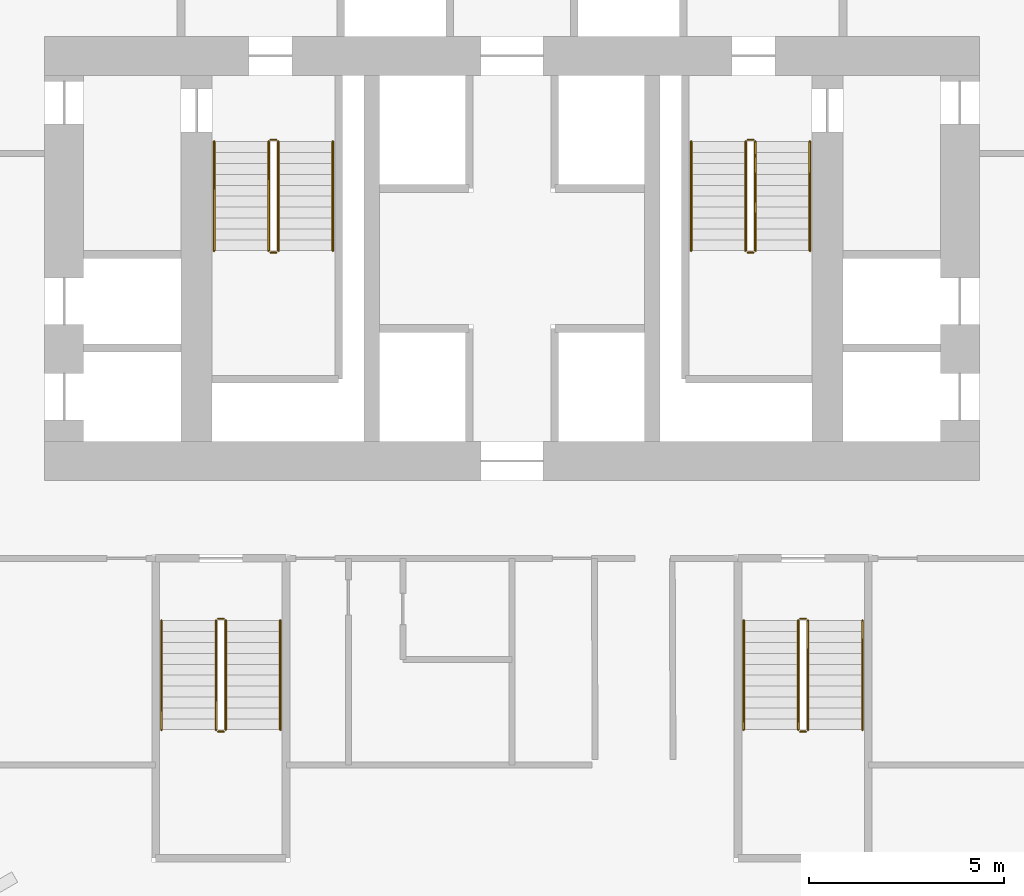
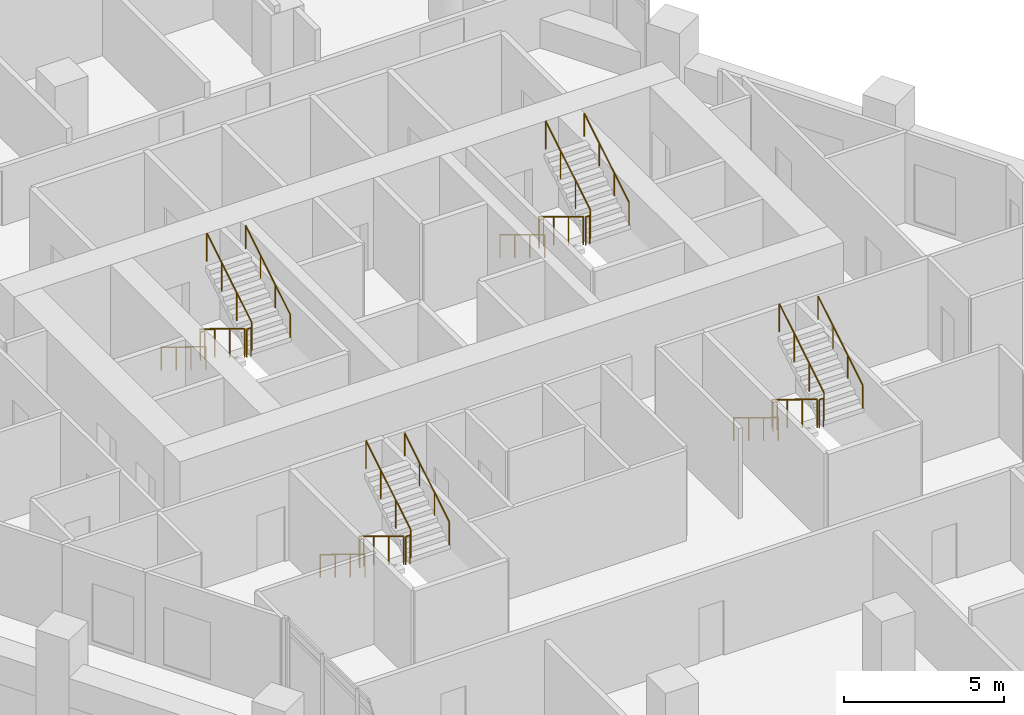
# One storey, part 28 of 28: 24 railings.
"""IFC4 building model written with IfcOpenShell, lengths in metres."""

import ifcopenshell
import ifcopenshell.guid

model = None  # the IFC model being written
_history = None  # IfcOwnerHistory: only IFC2X3 demands one
_inside = {}  # id of a spatial element -> (the spatial element, [elements in it])
_under = {}  # id of a project, library or spatial element -> (it, [spatial elements below it])
_declared = {}  # id of a project -> (the project, [libraries it declares])
_typed = {}  # id of a type object -> (the type object, [elements of that type])
_made_of = {}  # id of a material, layer set ... -> (it, [elements and type objects made of it])


def new_model(schema):
    """Start an empty IFC model of exactly this schema.

    Asked for "IFC4X3", IfcOpenShell would pick the latest addendum, in which some entities
    have other attributes; the version numbers below select the first issue.
    IFC2X3 requires an IfcOwnerHistory on every rooted entity: one is made here for all.
    """
    global model, _history
    if schema == "IFC4X3":
        model = ifcopenshell.file(schema_version=(4, 3, 0, 0))
    else:
        model = ifcopenshell.file(schema=schema)
    _inside.clear()
    _under.clear()
    _declared.clear()
    _typed.clear()
    _made_of.clear()
    _history = None
    if model.schema == "IFC2X3":
        org = make("IfcOrganization", Name="unknown")
        user = make(
            "IfcPersonAndOrganization",
            ThePerson=make("IfcPerson", FamilyName="unknown"),
            TheOrganization=org,
        )
        app = make(
            "IfcApplication",
            ApplicationDeveloper=org,
            Version="unknown",
            ApplicationFullName="unknown",
            ApplicationIdentifier="unknown",
        )
        _history = make(
            "IfcOwnerHistory",
            OwningUser=user,
            OwningApplication=app,
            ChangeAction="ADDED",
            CreationDate=0,
        )
    return model


def make(cls, **values):
    """One entity of the class cls with the attributes given. An attribute that is None is left unset."""
    return model.create_entity(
        cls, **{name: value for name, value in values.items() if value is not None}
    )


def rooted(cls, **values):
    """An entity with a GlobalId (a new one), such as an element, a storey or a relation."""
    return make(cls, GlobalId=ifcopenshell.guid.new(), OwnerHistory=_history, **values)


def si_unit(unit_type, name, prefix=None):
    """IfcSIUnit, for example si_unit("LENGTHUNIT", "METRE", prefix="MILLI")."""
    return make("IfcSIUnit", UnitType=unit_type, Prefix=prefix, Name=name)


def assignment(units):
    """IfcUnitAssignment: the units of a project."""
    return None if units is None else make("IfcUnitAssignment", Units=units)


def point(xyz):
    """IfcCartesianPoint."""
    return None if xyz is None else make("IfcCartesianPoint", Coordinates=xyz)


def direction(xyz):
    """IfcDirection."""
    return None if xyz is None else make("IfcDirection", DirectionRatios=xyz)


def frame(location, z_axis=None, x_axis=None):
    """IfcAxis2Placement3D, a coordinate frame: its origin and axes. An axis left out is left unset."""
    return make(
        "IfcAxis2Placement3D",
        Location=point(location),
        Axis=direction(z_axis),
        RefDirection=direction(x_axis),
    )


def frame_2d(location, x_axis=None):
    """IfcAxis2Placement2D, a coordinate frame in the plane: its origin and x axis."""
    return make(
        "IfcAxis2Placement2D", Location=point(location), RefDirection=direction(x_axis)
    )


def origin():
    """The frame at (0, 0, 0) with its axes left unset."""
    return frame((0.0, 0.0, 0.0))


def origin_2d():
    """The frame at (0, 0) in the plane with its x axis left unset."""
    return frame_2d((0.0, 0.0))


def place(relative_to, where):
    """IfcLocalPlacement: puts the frame where relative to a parent placement (None: the world)."""
    return make(
        "IfcLocalPlacement", PlacementRelTo=relative_to, RelativePlacement=where
    )


def context(
    kind, dimensions, precision=None, world=None, true_north=None, identifier=None
):
    """IfcGeometricRepresentationContext, for example the 3D "Model" context."""
    return make(
        "IfcGeometricRepresentationContext",
        ContextIdentifier=identifier,
        ContextType=kind,
        CoordinateSpaceDimension=dimensions,
        Precision=precision,
        WorldCoordinateSystem=world,
        TrueNorth=true_north,
    )


def subcontext(parent, identifier, kind, view, scale=None):
    """IfcGeometricRepresentationSubContext, for example "Body" below "Model"."""
    return make(
        "IfcGeometricRepresentationSubContext",
        ContextIdentifier=identifier,
        ContextType=kind,
        ParentContext=parent,
        TargetScale=scale,
        TargetView=view,
    )


def project(units=None, contexts=None):
    """IfcProject with its units and contexts."""
    return rooted(
        "IfcProject",
        Name="project",
        RepresentationContexts=contexts,
        UnitsInContext=assignment(units),
    )


def spatial(cls, under=None, at=None, **own):
    """A site, building, storey or space (cls), placed at a placement, below another one or the project."""
    s = rooted(cls, ObjectPlacement=at, **own)
    if under is not None:
        _under.setdefault(under.id(), (under, []))[1].append(s)
    return s


def profile(cls, at=None, kind="AREA", **sizes):
    """A parametric profile (cls). Its sizes go by their IFC names, for example OverallWidth=200.0."""
    return make(cls, ProfileType=kind, Position=at, **sizes)


def circle(**sizes):
    """IfcCircleProfileDef."""
    return profile("IfcCircleProfileDef", **sizes)


def extrude(swept, where, along, depth):
    """IfcExtrudedAreaSolid: the profile swept, set in the frame where, extruded along a direction by depth."""
    return make(
        "IfcExtrudedAreaSolid",
        SweptArea=swept,
        Position=where,
        ExtrudedDirection=direction(along),
        Depth=depth,
    )


def shape(context_of_items, identifier, shape_type, items):
    """IfcShapeRepresentation: the items that make up one representation, for example the "Body"."""
    return make(
        "IfcShapeRepresentation",
        ContextOfItems=context_of_items,
        RepresentationIdentifier=identifier,
        RepresentationType=shape_type,
        Items=items,
    )


def material(Name=None, Category=None):
    """IfcMaterial."""
    return make("IfcMaterial", Name=Name, Category=Category)


def made_of(thing, what):
    """Note that an element or type object is made of a material, layer set ...; save() writes the relation."""
    if what is not None:
        _made_of.setdefault(what.id(), (what, []))[1].append(thing)
    return thing


def type_object(cls, material=None, **own):
    """A type object (cls), such as IfcWallType, which elements share."""
    return made_of(rooted(cls, **own), material)


def element(
    cls,
    number,
    at=None,
    inside=None,
    cuts=None,
    type_object=None,
    material=None,
    context=None,
    identifier="Body",
    shape_type=None,
    held_by="IfcProductDefinitionShape",
    body=None,
    shapes=None,
    **own,
):
    """One element of the class cls, such as IfcWall. Its Tag is "e" and its number.

    at: its placement. inside: the storey or other place that contains it. cuts: it is an
    opening in that element (IfcRelVoidsElement). A single representation is given by context,
    identifier, shape_type and body (its items); several are given by shapes. held_by: the class
    of the entity that holds the representations. save() writes the other relations.
    """
    e = rooted(cls, Tag="e%d" % number, ObjectPlacement=at, **own)
    if body is not None:
        shapes = [shape(context, identifier, shape_type, body)]
    if shapes is not None:
        e.Representation = make(held_by, Representations=shapes)
    if inside is not None:
        _inside.setdefault(inside.id(), (inside, []))[1].append(e)
    if cuts is not None:
        rooted(
            "IfcRelVoidsElement", RelatingBuildingElement=cuts, RelatedOpeningElement=e
        )
    if type_object is not None:
        _typed.setdefault(type_object.id(), (type_object, []))[1].append(e)
    return made_of(e, material)


def aggregate(whole, parts):
    """IfcRelAggregates: a whole, such as a stair, and the parts it consists of."""
    return rooted("IfcRelAggregates", RelatingObject=whole, RelatedObjects=parts)


def save(model, path):
    """Write the relations noted so far, then the file.

    IfcRelAggregates (storeys below a building ...), IfcRelContainedInSpatialStructure (elements
    in a storey), IfcRelDefinesByType, IfcRelAssociatesMaterial and IfcRelDeclares: one each for
    every whole, place, type object, material and project.
    """
    for whole, parts in _under.values():
        aggregate(whole, parts)
    for where, things in _inside.values():
        rooted(
            "IfcRelContainedInSpatialStructure",
            RelatedElements=things,
            RelatingStructure=where,
        )
    for kind, things in _typed.values():
        rooted("IfcRelDefinesByType", RelatedObjects=things, RelatingType=kind)
    for what, things in _made_of.values():
        rooted("IfcRelAssociatesMaterial", RelatedObjects=things, RelatingMaterial=what)
    for by, libraries in _declared.values():
        rooted("IfcRelDeclares", RelatingContext=by, RelatedDefinitions=libraries)
    model.write(path)


model = new_model("IFC4")

# Units and contexts
model_context = context("Model", 3, precision=1e-05, world=origin(), true_north=direction((0.0, 1.0)))
body_context = subcontext(model_context, "Body", "Model", "MODEL_VIEW")
ifc_project = project(units=[si_unit("LENGTHUNIT", "METRE"), si_unit("AREAUNIT", "SQUARE_METRE"), si_unit("VOLUMEUNIT", "CUBIC_METRE"), si_unit("PLANEANGLEUNIT", "RADIAN"), si_unit("MASSUNIT", "GRAM", prefix="KILO")], contexts=[model_context])

# Site, building, storey
site_placement = place(None, origin())
site = spatial("IfcSite", under=ifc_project, at=site_placement, CompositionType="ELEMENT")
building_placement = place(site_placement, origin())
building = spatial("IfcBuilding", under=site, at=building_placement, Name="Ostrander Bayou Hotel Tower", CompositionType="ELEMENT")
storey_placement = place(building_placement, frame((0.0, 0.0, 142.25)))
storey = spatial("IfcBuildingStorey", under=building, at=storey_placement, Name="L35", CompositionType="ELEMENT", Elevation=142.25)

# Railings
ifc_material_1 = material(Name="Steel ASTM A500 Gr C", Category="steel")
railing_type_1 = type_object("IfcRailingType", Name="GR1 stair guard 1100 mm steel", PredefinedType="GUARDRAIL", material=ifc_material_1)
railing_1_placement = place(storey_placement, frame((-6.25, 7.0, 0.17041015625)))
element("IfcRailing", 1, at=railing_1_placement, inside=storey, type_object=railing_type_1, Name="L35 STA stair guard 1", PredefinedType="GUARDRAIL", context=body_context, shape_type="SweptSolid", body=[
    extrude(circle(Radius=0.02392578125, at=origin_2d()), frame((0.0, 0.0, 1.076171875), z_axis=(0.0, -0.854169791009, 0.51999420009), x_axis=(1.0, 0.0, 0.0)), (0.0, 0.0, 1.0), 3.278076171875),
    extrude(circle(Radius=0.02099609375, at=origin_2d()), origin(), (0.0, 0.0, 1.0), 1.052001953125),
    extrude(circle(Radius=0.02099609375, at=origin_2d()), frame((0.0, -0.933349609375, 0.568115234375)), (0.0, 0.0, 1.0), 1.052001953125),
    extrude(circle(Radius=0.02099609375, at=origin_2d()), frame((0.0, -1.86669921875, 1.136474609375)), (0.0, 0.0, 1.0), 1.052001953125),
    extrude(circle(Radius=0.02099609375, at=origin_2d()), frame((0.0, -2.800048828125, 1.70458984375)), (0.0, 0.0, 1.0), 1.052001953125),
])
railing_2_placement = place(storey_placement, frame((-6.199951171875, 4.14990234375, 1.875)))
element("IfcRailing", 2, at=railing_2_placement, inside=storey, type_object=railing_type_1, Name="L35 STA stair guard 2", PredefinedType="GUARDRAIL", context=body_context, shape_type="SweptSolid", body=[
    extrude(circle(Radius=0.02392578125, at=origin_2d()), frame((0.0, 0.0, 1.076171875), z_axis=(1.0, 0.0, 0.0), x_axis=(0.0, 1.0, 0.0)), (0.0, 0.0, 1.0), 0.14990234375),
    extrude(circle(Radius=0.02099609375, at=origin_2d()), origin(), (0.0, 0.0, 1.0), 1.052001953125),
    extrude(circle(Radius=0.02099609375, at=origin_2d()), frame((0.14990234375, 0.0, 0.0)), (0.0, 0.0, 1.0), 1.052001953125),
])
railing_3_placement = place(storey_placement, frame((-6.0, 4.199951171875, 2.04541015625)))
element("IfcRailing", 3, at=railing_3_placement, inside=storey, type_object=railing_type_1, Name="L35 STA stair guard 3", PredefinedType="GUARDRAIL", context=body_context, shape_type="SweptSolid", body=[
    extrude(circle(Radius=0.02392578125, at=origin_2d()), frame((0.0, 0.0, 1.076171875), z_axis=(0.0, 0.854169791009, 0.51999420009), x_axis=(-1.0, 0.0, 0.0)), (0.0, 0.0, 1.0), 3.278076171875),
    extrude(circle(Radius=0.02099609375, at=origin_2d()), origin(), (0.0, 0.0, 1.0), 1.052001953125),
    extrude(circle(Radius=0.02099609375, at=origin_2d()), frame((0.0, 0.933349609375, 0.568115234375)), (0.0, 0.0, 1.0), 1.052001953125),
    extrude(circle(Radius=0.02099609375, at=origin_2d()), frame((0.0, 1.86669921875, 1.136474609375)), (0.0, 0.0, 1.0), 1.052001953125),
    extrude(circle(Radius=0.02099609375, at=origin_2d()), frame((0.0, 2.800048828125, 1.70458984375)), (0.0, 0.0, 1.0), 1.052001953125),
])
railing_4_placement = place(storey_placement, frame((-6.199951171875, 7.050048828125, 0.0)))
element("IfcRailing", 4, at=railing_4_placement, inside=storey, type_object=railing_type_1, Name="L35 STA stair guard 4", PredefinedType="GUARDRAIL", context=body_context, shape_type="SweptSolid", body=[
    extrude(circle(Radius=0.02392578125, at=origin_2d()), frame((0.0, 0.0, 1.076171875), z_axis=(1.0, 0.0, 0.0), x_axis=(0.0, 1.0, 0.0)), (0.0, 0.0, 1.0), 0.14990234375),
    extrude(circle(Radius=0.02099609375, at=origin_2d()), origin(), (0.0, 0.0, 1.0), 1.052001953125),
    extrude(circle(Radius=0.02099609375, at=origin_2d()), frame((0.14990234375, 0.0, 0.0)), (0.0, 0.0, 1.0), 1.052001953125),
])
railing_5_placement = place(storey_placement, frame((6.0, 7.0, 0.17041015625)))
element("IfcRailing", 5, at=railing_5_placement, inside=storey, type_object=railing_type_1, Name="L35 STB stair guard 1", PredefinedType="GUARDRAIL", context=body_context, shape_type="SweptSolid", body=[
    extrude(circle(Radius=0.02392578125, at=origin_2d()), frame((0.0, 0.0, 1.076171875), z_axis=(0.0, -0.854169791009, 0.51999420009), x_axis=(1.0, 0.0, 0.0)), (0.0, 0.0, 1.0), 3.278076171875),
    extrude(circle(Radius=0.02099609375, at=origin_2d()), origin(), (0.0, 0.0, 1.0), 1.052001953125),
    extrude(circle(Radius=0.02099609375, at=origin_2d()), frame((0.0, -0.933349609375, 0.568115234375)), (0.0, 0.0, 1.0), 1.052001953125),
    extrude(circle(Radius=0.02099609375, at=origin_2d()), frame((0.0, -1.86669921875, 1.136474609375)), (0.0, 0.0, 1.0), 1.052001953125),
    extrude(circle(Radius=0.02099609375, at=origin_2d()), frame((0.0, -2.800048828125, 1.70458984375)), (0.0, 0.0, 1.0), 1.052001953125),
])
railing_6_placement = place(storey_placement, frame((6.050048828125, 4.14990234375, 1.875)))
element("IfcRailing", 6, at=railing_6_placement, inside=storey, type_object=railing_type_1, Name="L35 STB stair guard 2", PredefinedType="GUARDRAIL", context=body_context, shape_type="SweptSolid", body=[
    extrude(circle(Radius=0.02392578125, at=origin_2d()), frame((0.0, 0.0, 1.076171875), z_axis=(1.0, 0.0, 0.0), x_axis=(0.0, 1.0, 0.0)), (0.0, 0.0, 1.0), 0.14990234375),
    extrude(circle(Radius=0.02099609375, at=origin_2d()), origin(), (0.0, 0.0, 1.0), 1.052001953125),
    extrude(circle(Radius=0.02099609375, at=origin_2d()), frame((0.14990234375, 0.0, 0.0)), (0.0, 0.0, 1.0), 1.052001953125),
])
railing_7_placement = place(storey_placement, frame((6.25, 4.199951171875, 2.04541015625)))
element("IfcRailing", 7, at=railing_7_placement, inside=storey, type_object=railing_type_1, Name="L35 STB stair guard 3", PredefinedType="GUARDRAIL", context=body_context, shape_type="SweptSolid", body=[
    extrude(circle(Radius=0.02392578125, at=origin_2d()), frame((0.0, 0.0, 1.076171875), z_axis=(0.0, 0.854169791009, 0.51999420009), x_axis=(-1.0, 0.0, 0.0)), (0.0, 0.0, 1.0), 3.278076171875),
    extrude(circle(Radius=0.02099609375, at=origin_2d()), origin(), (0.0, 0.0, 1.0), 1.052001953125),
    extrude(circle(Radius=0.02099609375, at=origin_2d()), frame((0.0, 0.933349609375, 0.568115234375)), (0.0, 0.0, 1.0), 1.052001953125),
    extrude(circle(Radius=0.02099609375, at=origin_2d()), frame((0.0, 1.86669921875, 1.136474609375)), (0.0, 0.0, 1.0), 1.052001953125),
    extrude(circle(Radius=0.02099609375, at=origin_2d()), frame((0.0, 2.800048828125, 1.70458984375)), (0.0, 0.0, 1.0), 1.052001953125),
])
railing_8_placement = place(storey_placement, frame((6.050048828125, 7.050048828125, 0.0)))
element("IfcRailing", 8, at=railing_8_placement, inside=storey, type_object=railing_type_1, Name="L35 STB stair guard 4", PredefinedType="GUARDRAIL", context=body_context, shape_type="SweptSolid", body=[
    extrude(circle(Radius=0.02392578125, at=origin_2d()), frame((0.0, 0.0, 1.076171875), z_axis=(1.0, 0.0, 0.0), x_axis=(0.0, 1.0, 0.0)), (0.0, 0.0, 1.0), 0.14990234375),
    extrude(circle(Radius=0.02099609375, at=origin_2d()), origin(), (0.0, 0.0, 1.0), 1.052001953125),
    extrude(circle(Radius=0.02099609375, at=origin_2d()), frame((0.14990234375, 0.0, 0.0)), (0.0, 0.0, 1.0), 1.052001953125),
])
railing_9_placement = place(storey_placement, frame((7.35009765625, -5.300048828125, 0.17041015625)))
element("IfcRailing", 9, at=railing_9_placement, inside=storey, type_object=railing_type_1, Name="L35 STC stair guard 1", PredefinedType="GUARDRAIL", context=body_context, shape_type="SweptSolid", body=[
    extrude(circle(Radius=0.02392578125, at=origin_2d()), frame((0.0, 0.0, 1.076171875), z_axis=(0.0, -0.854169791009, 0.51999420009), x_axis=(1.0, 0.0, 0.0)), (0.0, 0.0, 1.0), 3.278076171875),
    extrude(circle(Radius=0.02099609375, at=origin_2d()), origin(), (0.0, 0.0, 1.0), 1.052001953125),
    extrude(circle(Radius=0.02099609375, at=origin_2d()), frame((0.0, -0.933349609375, 0.568115234375)), (0.0, 0.0, 1.0), 1.052001953125),
    extrude(circle(Radius=0.02099609375, at=origin_2d()), frame((0.0, -1.86669921875, 1.136474609375)), (0.0, 0.0, 1.0), 1.052001953125),
    extrude(circle(Radius=0.02099609375, at=origin_2d()), frame((0.0, -2.800048828125, 1.70458984375)), (0.0, 0.0, 1.0), 1.052001953125),
])
railing_10_placement = place(storey_placement, frame((7.39990234375, -8.14990234375, 1.875)))
element("IfcRailing", 10, at=railing_10_placement, inside=storey, type_object=railing_type_1, Name="L35 STC stair guard 2", PredefinedType="GUARDRAIL", context=body_context, shape_type="SweptSolid", body=[
    extrude(circle(Radius=0.02392578125, at=origin_2d()), frame((0.0, 0.0, 1.076171875), z_axis=(1.0, 0.0, 0.0), x_axis=(0.0, 1.0, 0.0)), (0.0, 0.0, 1.0), 0.150146484375),
    extrude(circle(Radius=0.02099609375, at=origin_2d()), origin(), (0.0, 0.0, 1.0), 1.052001953125),
    extrude(circle(Radius=0.02099609375, at=origin_2d()), frame((0.150146484375, 0.0, 0.0)), (0.0, 0.0, 1.0), 1.052001953125),
])
railing_11_placement = place(storey_placement, frame((7.60009765625, -8.10009765625, 2.04541015625)))
element("IfcRailing", 11, at=railing_11_placement, inside=storey, type_object=railing_type_1, Name="L35 STC stair guard 3", PredefinedType="GUARDRAIL", context=body_context, shape_type="SweptSolid", body=[
    extrude(circle(Radius=0.02392578125, at=origin_2d()), frame((0.0, 0.0, 1.076171875), z_axis=(0.0, 0.854169791009, 0.51999420009), x_axis=(-1.0, 0.0, 0.0)), (0.0, 0.0, 1.0), 3.278076171875),
    extrude(circle(Radius=0.02099609375, at=origin_2d()), origin(), (0.0, 0.0, 1.0), 1.052001953125),
    extrude(circle(Radius=0.02099609375, at=origin_2d()), frame((0.0, 0.933349609375, 0.568115234375)), (0.0, 0.0, 1.0), 1.052001953125),
    extrude(circle(Radius=0.02099609375, at=origin_2d()), frame((0.0, 1.86669921875, 1.136474609375)), (0.0, 0.0, 1.0), 1.052001953125),
    extrude(circle(Radius=0.02099609375, at=origin_2d()), frame((0.0, 2.800048828125, 1.70458984375)), (0.0, 0.0, 1.0), 1.052001953125),
])
railing_12_placement = place(storey_placement, frame((7.39990234375, -5.25, 0.0)))
element("IfcRailing", 12, at=railing_12_placement, inside=storey, type_object=railing_type_1, Name="L35 STC stair guard 4", PredefinedType="GUARDRAIL", context=body_context, shape_type="SweptSolid", body=[
    extrude(circle(Radius=0.02392578125, at=origin_2d()), frame((0.0, 0.0, 1.076171875), z_axis=(1.0, 0.0, 0.0), x_axis=(0.0, 1.0, 0.0)), (0.0, 0.0, 1.0), 0.150146484375),
    extrude(circle(Radius=0.02099609375, at=origin_2d()), origin(), (0.0, 0.0, 1.0), 1.052001953125),
    extrude(circle(Radius=0.02099609375, at=origin_2d()), frame((0.150146484375, 0.0, 0.0)), (0.0, 0.0, 1.0), 1.052001953125),
])
railing_13_placement = place(storey_placement, frame((-7.60009765625, -5.300048828125, 0.17041015625)))
element("IfcRailing", 13, at=railing_13_placement, inside=storey, type_object=railing_type_1, Name="L35 STD stair guard 1", PredefinedType="GUARDRAIL", context=body_context, shape_type="SweptSolid", body=[
    extrude(circle(Radius=0.02392578125, at=origin_2d()), frame((0.0, 0.0, 1.076171875), z_axis=(0.0, -0.854169791009, 0.51999420009), x_axis=(1.0, 0.0, 0.0)), (0.0, 0.0, 1.0), 3.278076171875),
    extrude(circle(Radius=0.02099609375, at=origin_2d()), origin(), (0.0, 0.0, 1.0), 1.052001953125),
    extrude(circle(Radius=0.02099609375, at=origin_2d()), frame((0.0, -0.933349609375, 0.568115234375)), (0.0, 0.0, 1.0), 1.052001953125),
    extrude(circle(Radius=0.02099609375, at=origin_2d()), frame((0.0, -1.86669921875, 1.136474609375)), (0.0, 0.0, 1.0), 1.052001953125),
    extrude(circle(Radius=0.02099609375, at=origin_2d()), frame((0.0, -2.800048828125, 1.70458984375)), (0.0, 0.0, 1.0), 1.052001953125),
])
railing_14_placement = place(storey_placement, frame((-7.550048828125, -8.14990234375, 1.875)))
element("IfcRailing", 14, at=railing_14_placement, inside=storey, type_object=railing_type_1, Name="L35 STD stair guard 2", PredefinedType="GUARDRAIL", context=body_context, shape_type="SweptSolid", body=[
    extrude(circle(Radius=0.02392578125, at=origin_2d()), frame((0.0, 0.0, 1.076171875), z_axis=(1.0, 0.0, 0.0), x_axis=(0.0, 1.0, 0.0)), (0.0, 0.0, 1.0), 0.150146484375),
    extrude(circle(Radius=0.02099609375, at=origin_2d()), origin(), (0.0, 0.0, 1.0), 1.052001953125),
    extrude(circle(Radius=0.02099609375, at=origin_2d()), frame((0.150146484375, 0.0, 0.0)), (0.0, 0.0, 1.0), 1.052001953125),
])
railing_15_placement = place(storey_placement, frame((-7.35009765625, -8.10009765625, 2.04541015625)))
element("IfcRailing", 15, at=railing_15_placement, inside=storey, type_object=railing_type_1, Name="L35 STD stair guard 3", PredefinedType="GUARDRAIL", context=body_context, shape_type="SweptSolid", body=[
    extrude(circle(Radius=0.02392578125, at=origin_2d()), frame((0.0, 0.0, 1.076171875), z_axis=(0.0, 0.854169791009, 0.51999420009), x_axis=(-1.0, 0.0, 0.0)), (0.0, 0.0, 1.0), 3.278076171875),
    extrude(circle(Radius=0.02099609375, at=origin_2d()), origin(), (0.0, 0.0, 1.0), 1.052001953125),
    extrude(circle(Radius=0.02099609375, at=origin_2d()), frame((0.0, 0.933349609375, 0.568115234375)), (0.0, 0.0, 1.0), 1.052001953125),
    extrude(circle(Radius=0.02099609375, at=origin_2d()), frame((0.0, 1.86669921875, 1.136474609375)), (0.0, 0.0, 1.0), 1.052001953125),
    extrude(circle(Radius=0.02099609375, at=origin_2d()), frame((0.0, 2.800048828125, 1.70458984375)), (0.0, 0.0, 1.0), 1.052001953125),
])
railing_16_placement = place(storey_placement, frame((-7.550048828125, -5.25, 0.0)))
element("IfcRailing", 16, at=railing_16_placement, inside=storey, type_object=railing_type_1, Name="L35 STD stair guard 4", PredefinedType="GUARDRAIL", context=body_context, shape_type="SweptSolid", body=[
    extrude(circle(Radius=0.02392578125, at=origin_2d()), frame((0.0, 0.0, 1.076171875), z_axis=(1.0, 0.0, 0.0), x_axis=(0.0, 1.0, 0.0)), (0.0, 0.0, 1.0), 0.150146484375),
    extrude(circle(Radius=0.02099609375, at=origin_2d()), origin(), (0.0, 0.0, 1.0), 1.052001953125),
    extrude(circle(Radius=0.02099609375, at=origin_2d()), frame((0.150146484375, 0.0, 0.0)), (0.0, 0.0, 1.0), 1.052001953125),
])
ifc_material_2 = material(Name="Steel ASTM A500 Gr C", Category="steel")
railing_type_2 = type_object("IfcRailingType", Name="HR1 stair handrail 900 mm steel", PredefinedType="HANDRAIL", material=ifc_material_2)
railing_17_placement = place(storey_placement, frame((-7.64990234375, 7.0, 0.17041015625)))
element("IfcRailing", 17, at=railing_17_placement, inside=storey, type_object=railing_type_2, Name="L35 STA stair handrail 1", PredefinedType="HANDRAIL", context=body_context, shape_type="SweptSolid", body=[
    extrude(circle(Radius=0.02392578125, at=origin_2d()), frame((0.0, 0.0, 0.8759765625), z_axis=(0.0, -0.854169791009, 0.51999420009), x_axis=(1.0, 0.0, 0.0)), (0.0, 0.0, 1.0), 3.278076171875),
    extrude(circle(Radius=0.02099609375, at=origin_2d()), origin(), (0.0, 0.0, 1.0), 0.851806640625),
    extrude(circle(Radius=0.02099609375, at=origin_2d()), frame((0.0, -0.933349609375, 0.568115234375)), (0.0, 0.0, 1.0), 0.851806640625),
    extrude(circle(Radius=0.02099609375, at=origin_2d()), frame((0.0, -1.86669921875, 1.136474609375)), (0.0, 0.0, 1.0), 0.851806640625),
    extrude(circle(Radius=0.02099609375, at=origin_2d()), frame((0.0, -2.800048828125, 1.70458984375)), (0.0, 0.0, 1.0), 0.851806640625),
])
railing_18_placement = place(storey_placement, frame((-4.60009765625, 4.199951171875, 2.04541015625)))
element("IfcRailing", 18, at=railing_18_placement, inside=storey, type_object=railing_type_2, Name="L35 STA stair handrail 2", PredefinedType="HANDRAIL", context=body_context, shape_type="SweptSolid", body=[
    extrude(circle(Radius=0.02392578125, at=origin_2d()), frame((0.0, 0.0, 0.8759765625), z_axis=(0.0, 0.854169791009, 0.51999420009), x_axis=(-1.0, 0.0, 0.0)), (0.0, 0.0, 1.0), 3.278076171875),
    extrude(circle(Radius=0.02099609375, at=origin_2d()), origin(), (0.0, 0.0, 1.0), 0.851806640625),
    extrude(circle(Radius=0.02099609375, at=origin_2d()), frame((0.0, 0.933349609375, 0.568115234375)), (0.0, 0.0, 1.0), 0.851806640625),
    extrude(circle(Radius=0.02099609375, at=origin_2d()), frame((0.0, 1.86669921875, 1.136474609375)), (0.0, 0.0, 1.0), 0.851806640625),
    extrude(circle(Radius=0.02099609375, at=origin_2d()), frame((0.0, 2.800048828125, 1.70458984375)), (0.0, 0.0, 1.0), 0.851806640625),
])
railing_19_placement = place(storey_placement, frame((4.60009765625, 7.0, 0.17041015625)))
element("IfcRailing", 19, at=railing_19_placement, inside=storey, type_object=railing_type_2, Name="L35 STB stair handrail 1", PredefinedType="HANDRAIL", context=body_context, shape_type="SweptSolid", body=[
    extrude(circle(Radius=0.02392578125, at=origin_2d()), frame((0.0, 0.0, 0.8759765625), z_axis=(0.0, -0.854169791009, 0.51999420009), x_axis=(1.0, 0.0, 0.0)), (0.0, 0.0, 1.0), 3.278076171875),
    extrude(circle(Radius=0.02099609375, at=origin_2d()), origin(), (0.0, 0.0, 1.0), 0.851806640625),
    extrude(circle(Radius=0.02099609375, at=origin_2d()), frame((0.0, -0.933349609375, 0.568115234375)), (0.0, 0.0, 1.0), 0.851806640625),
    extrude(circle(Radius=0.02099609375, at=origin_2d()), frame((0.0, -1.86669921875, 1.136474609375)), (0.0, 0.0, 1.0), 0.851806640625),
    extrude(circle(Radius=0.02099609375, at=origin_2d()), frame((0.0, -2.800048828125, 1.70458984375)), (0.0, 0.0, 1.0), 0.851806640625),
])
railing_20_placement = place(storey_placement, frame((7.64990234375, 4.199951171875, 2.04541015625)))
element("IfcRailing", 20, at=railing_20_placement, inside=storey, type_object=railing_type_2, Name="L35 STB stair handrail 2", PredefinedType="HANDRAIL", context=body_context, shape_type="SweptSolid", body=[
    extrude(circle(Radius=0.02392578125, at=origin_2d()), frame((0.0, 0.0, 0.8759765625), z_axis=(0.0, 0.854169791009, 0.51999420009), x_axis=(-1.0, 0.0, 0.0)), (0.0, 0.0, 1.0), 3.278076171875),
    extrude(circle(Radius=0.02099609375, at=origin_2d()), origin(), (0.0, 0.0, 1.0), 0.851806640625),
    extrude(circle(Radius=0.02099609375, at=origin_2d()), frame((0.0, 0.933349609375, 0.568115234375)), (0.0, 0.0, 1.0), 0.851806640625),
    extrude(circle(Radius=0.02099609375, at=origin_2d()), frame((0.0, 1.86669921875, 1.136474609375)), (0.0, 0.0, 1.0), 0.851806640625),
    extrude(circle(Radius=0.02099609375, at=origin_2d()), frame((0.0, 2.800048828125, 1.70458984375)), (0.0, 0.0, 1.0), 0.851806640625),
])
railing_21_placement = place(storey_placement, frame((5.949951171875, -5.300048828125, 0.17041015625)))
element("IfcRailing", 21, at=railing_21_placement, inside=storey, type_object=railing_type_2, Name="L35 STC stair handrail 1", PredefinedType="HANDRAIL", context=body_context, shape_type="SweptSolid", body=[
    extrude(circle(Radius=0.02392578125, at=origin_2d()), frame((0.0, 0.0, 0.8759765625), z_axis=(0.0, -0.854169791009, 0.51999420009), x_axis=(1.0, 0.0, 0.0)), (0.0, 0.0, 1.0), 3.278076171875),
    extrude(circle(Radius=0.02099609375, at=origin_2d()), origin(), (0.0, 0.0, 1.0), 0.851806640625),
    extrude(circle(Radius=0.02099609375, at=origin_2d()), frame((0.0, -0.933349609375, 0.568115234375)), (0.0, 0.0, 1.0), 0.851806640625),
    extrude(circle(Radius=0.02099609375, at=origin_2d()), frame((0.0, -1.86669921875, 1.136474609375)), (0.0, 0.0, 1.0), 0.851806640625),
    extrude(circle(Radius=0.02099609375, at=origin_2d()), frame((0.0, -2.800048828125, 1.70458984375)), (0.0, 0.0, 1.0), 0.851806640625),
])
railing_22_placement = place(storey_placement, frame((9.0, -8.10009765625, 2.04541015625)))
element("IfcRailing", 22, at=railing_22_placement, inside=storey, type_object=railing_type_2, Name="L35 STC stair handrail 2", PredefinedType="HANDRAIL", context=body_context, shape_type="SweptSolid", body=[
    extrude(circle(Radius=0.02392578125, at=origin_2d()), frame((0.0, 0.0, 0.8759765625), z_axis=(0.0, 0.854169791009, 0.51999420009), x_axis=(-1.0, 0.0, 0.0)), (0.0, 0.0, 1.0), 3.278076171875),
    extrude(circle(Radius=0.02099609375, at=origin_2d()), origin(), (0.0, 0.0, 1.0), 0.851806640625),
    extrude(circle(Radius=0.02099609375, at=origin_2d()), frame((0.0, 0.933349609375, 0.568115234375)), (0.0, 0.0, 1.0), 0.851806640625),
    extrude(circle(Radius=0.02099609375, at=origin_2d()), frame((0.0, 1.86669921875, 1.136474609375)), (0.0, 0.0, 1.0), 0.851806640625),
    extrude(circle(Radius=0.02099609375, at=origin_2d()), frame((0.0, 2.800048828125, 1.70458984375)), (0.0, 0.0, 1.0), 0.851806640625),
])
railing_23_placement = place(storey_placement, frame((-9.0, -5.300048828125, 0.17041015625)))
element("IfcRailing", 23, at=railing_23_placement, inside=storey, type_object=railing_type_2, Name="L35 STD stair handrail 1", PredefinedType="HANDRAIL", context=body_context, shape_type="SweptSolid", body=[
    extrude(circle(Radius=0.02392578125, at=origin_2d()), frame((0.0, 0.0, 0.8759765625), z_axis=(0.0, -0.854169791009, 0.51999420009), x_axis=(1.0, 0.0, 0.0)), (0.0, 0.0, 1.0), 3.278076171875),
    extrude(circle(Radius=0.02099609375, at=origin_2d()), origin(), (0.0, 0.0, 1.0), 0.851806640625),
    extrude(circle(Radius=0.02099609375, at=origin_2d()), frame((0.0, -0.933349609375, 0.568115234375)), (0.0, 0.0, 1.0), 0.851806640625),
    extrude(circle(Radius=0.02099609375, at=origin_2d()), frame((0.0, -1.86669921875, 1.136474609375)), (0.0, 0.0, 1.0), 0.851806640625),
    extrude(circle(Radius=0.02099609375, at=origin_2d()), frame((0.0, -2.800048828125, 1.70458984375)), (0.0, 0.0, 1.0), 0.851806640625),
])
railing_24_placement = place(storey_placement, frame((-5.949951171875, -8.10009765625, 2.04541015625)))
element("IfcRailing", 24, at=railing_24_placement, inside=storey, type_object=railing_type_2, Name="L35 STD stair handrail 2", PredefinedType="HANDRAIL", context=body_context, shape_type="SweptSolid", body=[
    extrude(circle(Radius=0.02392578125, at=origin_2d()), frame((0.0, 0.0, 0.8759765625), z_axis=(0.0, 0.854169791009, 0.51999420009), x_axis=(-1.0, 0.0, 0.0)), (0.0, 0.0, 1.0), 3.278076171875),
    extrude(circle(Radius=0.02099609375, at=origin_2d()), origin(), (0.0, 0.0, 1.0), 0.851806640625),
    extrude(circle(Radius=0.02099609375, at=origin_2d()), frame((0.0, 0.933349609375, 0.568115234375)), (0.0, 0.0, 1.0), 0.851806640625),
    extrude(circle(Radius=0.02099609375, at=origin_2d()), frame((0.0, 1.86669921875, 1.136474609375)), (0.0, 0.0, 1.0), 0.851806640625),
    extrude(circle(Radius=0.02099609375, at=origin_2d()), frame((0.0, 2.800048828125, 1.70458984375)), (0.0, 0.0, 1.0), 0.851806640625),
])

save(model, "model.ifc")
